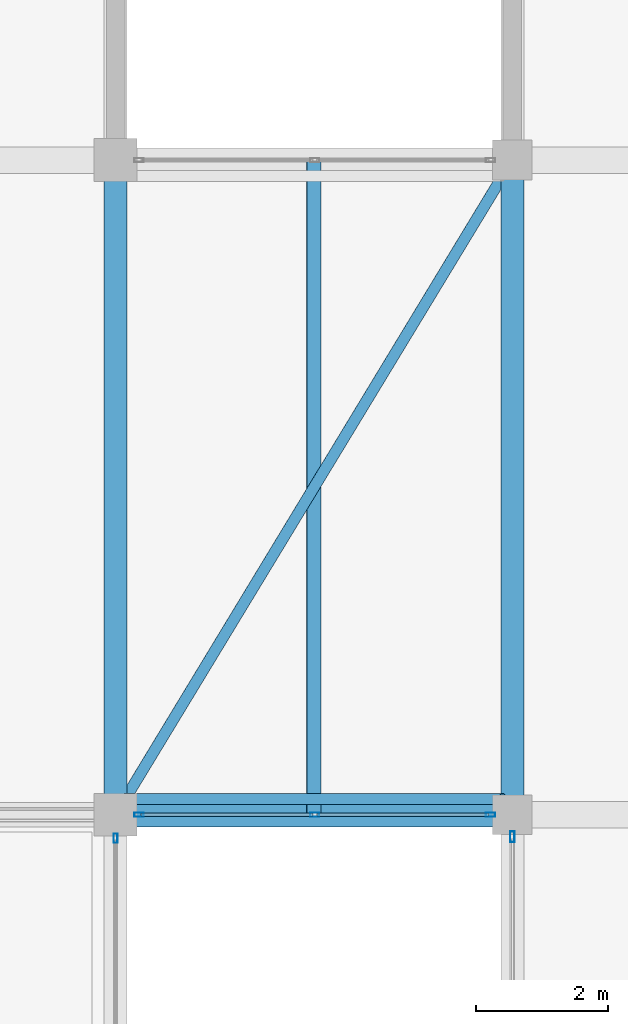
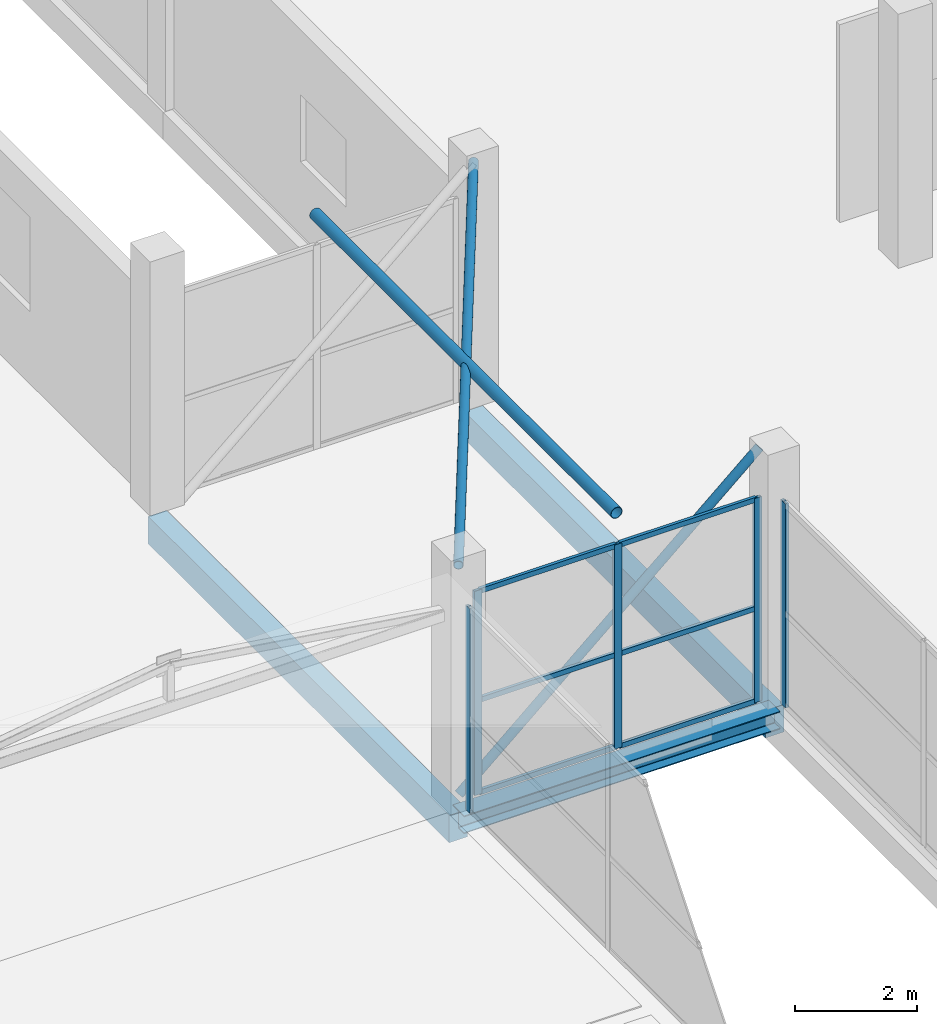
# One storey, part 31 of 58: 14 members, 3 beams, 3 elements without a shape of their own.
"""IFC4 building model written with IfcOpenShell, lengths in metres."""

from ifc_helpers import new_model, si_unit, direction, frame, origin, origin_2d, place, context, subcontext, project, spatial, rectangle, hollow_rectangle, hollow_circle, i_section, extrude, material, layer, layer_set, material_profile, profile_set, type_object, element, aggregate, save


model = new_model("IFC4")

# Units and contexts
model_context = context("Model", 3, precision=1e-05, world=origin(), true_north=direction((0.0, 1.0)))
body_context = subcontext(model_context, "Body", "Model", "MODEL_VIEW")
ifc_project = project(units=[si_unit("LENGTHUNIT", "METRE"), si_unit("AREAUNIT", "SQUARE_METRE"), si_unit("VOLUMEUNIT", "CUBIC_METRE"), si_unit("PLANEANGLEUNIT", "RADIAN"), si_unit("MASSUNIT", "GRAM", prefix="KILO")], contexts=[model_context])

# Site, building, storey
site_placement = place(None, origin())
site = spatial("IfcSite", under=ifc_project, at=site_placement, CompositionType="ELEMENT")
building_placement = place(site_placement, origin())
building = spatial("IfcBuilding", under=site, at=building_placement, Name="Sillaruma Civic Art Gallery", CompositionType="ELEMENT")
storey_placement = place(building_placement, frame((0.0, 0.0, 52.02001953125)))
storey = spatial("IfcBuildingStorey", under=building, at=storey_placement, Name="L10", CompositionType="ELEMENT", Elevation=52.02001953125)

# Beams
ifc_material_1 = material(Name="Structural Steel ASTM A992 Gr.50", Category="steel")
ifc_material_profile_1 = material_profile(ifc_material_1, i_section(OverallWidth=0.368896484375, OverallDepth=0.35595703125, WebThickness=0.01123046875, FlangeThickness=0.01806640625, FilletRadius=0.014892578125, at=origin_2d()), Name="W360x134")
ifc_profile_set_1 = profile_set([ifc_material_profile_1], Name="Structural Steel ASTM A992 Gr.50")
beam_type_1 = type_object("IfcBeamType", Name="BM-BRIDGE-W360x134", PredefinedType="SPANDREL", material=ifc_profile_set_1)
beam_placement = place(storey_placement, frame((92.0, 69.300048828125, -0.387939453125), z_axis=(1.0, 0.0, 0.0), x_axis=(0.0, 1.0, 0.0)))
element("IfcBeam", 1, at=beam_placement, inside=storey, type_object=beam_type_1, Name="Sky-Bridge Steel Edge Girder (BRG-N:L10:S)", PredefinedType="SPANDREL", context=body_context, shape_type="SweptSolid", body=[
    extrude(i_section(OverallWidth=0.368896484375, OverallDepth=0.35595703125, WebThickness=0.01123046875, FlangeThickness=0.01806640625, FilletRadius=0.014892578125, at=origin_2d()), origin(), (0.0, 0.0, 1.0), 6.0),
])
ifc_material_2 = material(Name="Concrete H35 (35 MPa)", Category="concrete")
ifc_material_profile_2 = material_profile(ifc_material_2, rectangle(XDim=0.35009765625, YDim=0.550048828125, at=origin_2d()), Name="RCB350x550")
ifc_profile_set_2 = profile_set([ifc_material_profile_2], Name="Concrete H35 (35 MPa)")
beam_type_2 = type_object("IfcBeamType", Name="BM-SPANDREL-RCB350x550", PredefinedType="SPANDREL", material=ifc_profile_set_2)
for number, where, z_axis, x_axis, name in (
    (2, (92.0, 69.300048828125, -0.52490234375), (0.0, 1.0, 0.0), (-1.0, 0.0, 0.0), "Beam BS-04 (L09:K:8-9)"),
    (3, (98.0, 69.300048828125, -0.52490234375), (0.0, 1.0, 0.0), (-1.0, 0.0, 0.0), "Beam BS-04 (L09:L:8-9)"),
):
    element("IfcBeam", number, at=place(storey_placement, frame(where, z_axis=z_axis, x_axis=x_axis)), inside=storey, type_object=beam_type_2, Name=name, PredefinedType="SPANDREL", context=body_context, shape_type="SweptSolid", body=[
        extrude(rectangle(XDim=0.35009765625, YDim=0.550048828125, at=origin_2d()), origin(), (0.0, 0.0, 1.0), 9.89990234375),
    ])

# Members
ifc_material_3 = material(Name="Structural Steel ASTM A500 Gr.C", Category="steel")
ifc_material_profile_3 = material_profile(ifc_material_3, hollow_circle(Radius=0.084228515625, WallThickness=0.007080078125, at=origin_2d()), Name="CHS168.3x7.1")
ifc_profile_set_3 = profile_set([ifc_material_profile_3], Name="Structural Steel ASTM A500 Gr.C")
member_type_1 = type_object("IfcMemberType", Name="MEM-BRIDGE-BRACE", PredefinedType="BRACE", material=ifc_profile_set_3)
member_1_placement = place(storey_placement, frame((92.14990234375, 69.5400390625, -0.080078125), z_axis=(0.753735417324, 0.0, 0.657177997707), x_axis=(0.0, 1.0, 0.0)))
element("IfcMember", 4, at=member_1_placement, inside=storey, type_object=member_type_1, Name="Sky-Bridge Elevation Truss Web Brace (BRG-N:L10:S)", PredefinedType="BRACE", context=body_context, shape_type="SweptSolid", body=[
    extrude(hollow_circle(Radius=0.084228515625, WallThickness=0.007080078125, at=origin_2d()), origin(), (0.0, 0.0, 1.0), 7.5625),
])
member_2_placement = place(storey_placement, frame((92.0, 69.300048828125, 4.7119140625), z_axis=(0.518305455332, 0.855195565337, 0.0), x_axis=(-0.855195565337, 0.518305455332, 0.0)))
element("IfcMember", 5, at=member_2_placement, inside=storey, type_object=member_type_1, Name="Sky-Bridge Diagonal Plan Brace (BRG-N:L11)", PredefinedType="BRACE", context=body_context, shape_type="SweptSolid", body=[
    extrude(hollow_circle(Radius=0.084228515625, WallThickness=0.007080078125, at=origin_2d()), origin(), (0.0, 0.0, 1.0), 11.576171875),
])
ifc_material_profile_4 = material_profile(ifc_material_3, hollow_circle(Radius=0.109619140625, WallThickness=0.00830078125, at=origin_2d()), Name="CHS219.1x8.2")
ifc_profile_set_4 = profile_set([ifc_material_profile_4], Name="Structural Steel ASTM A500 Gr.C")
member_type_2 = type_object("IfcMemberType", Name="MEM-BRIDGE-STRUT", PredefinedType="STRUT", material=ifc_profile_set_4)
member_3_placement = place(storey_placement, frame((95.0, 69.300048828125, 4.7119140625), z_axis=(0.0, 1.0, 0.0), x_axis=(-1.0, 0.0, 0.0)))
element("IfcMember", 6, at=member_3_placement, inside=storey, type_object=member_type_2, Name="Sky-Bridge Transverse Strut (BRG-N:L11)", PredefinedType="STRUT", context=body_context, shape_type="SweptSolid", body=[
    extrude(hollow_circle(Radius=0.109619140625, WallThickness=0.00830078125, at=origin_2d()), origin(), (0.0, 0.0, 1.0), 9.89990234375),
])

# Curtain wall, member
ifc_material_4 = material(Name="Thermally Broken Extruded Aluminium 6063-T6", Category="aluminium")
ifc_layer_1 = layer(ifc_material_4, 0.139892578125, Name="Thermally Broken Extruded Aluminium 6063-T6")
ifc_layer_set_1 = layer_set([ifc_layer_1], Name="Thermally Broken Extruded Aluminium 6063-T6")
curtain_wall_type_1 = type_object("IfcCurtainWallType", Name="CW-UNI-71", PredefinedType="NOTDEFINED", material=ifc_layer_set_1)
curtain_wall_1_placement = place(storey_placement, origin())
curtain_wall_1 = element("IfcCurtainWall", 7, at=curtain_wall_1_placement, inside=storey, type_object=curtain_wall_type_1, Name="Unitised Curtain Wall CW-71 (CW-L10-WBE-5)", PredefinedType="NOTDEFINED")
ifc_material_profile_5 = material_profile(ifc_material_4, hollow_rectangle(XDim=0.06005859375, YDim=0.139892578125, WallThickness=0.00341796875, at=origin_2d()), Name="CWM60x140")
ifc_profile_set_5 = profile_set([ifc_material_profile_5], Name="Thermally Broken Extruded Aluminium 6063-T6")
member_type_3 = type_object("IfcMemberType", Name="MEM-MUL-CWM60x140", PredefinedType="MULLION", material=ifc_profile_set_5)
member_4_placement = place(storey_placement, frame((92.0, 68.945068359375, 0.0), z_axis=(0.0, 0.0, 1.0), x_axis=(-1.0, 0.0, 0.0)))
member_4 = element("IfcMember", 8, at=member_4_placement, type_object=member_type_3, Name="CW-71 mullion 3", PredefinedType="MULLION", context=body_context, shape_type="SweptSolid", body=[
    extrude(hollow_rectangle(XDim=0.06005859375, YDim=0.139892578125, WallThickness=0.00341796875, at=origin_2d()), origin(), (0.0, 0.0, 1.0), 4.10009765625),
])
aggregate(curtain_wall_1, [member_4])

# Curtain wall, members
ifc_layer_2 = layer(ifc_material_4, 0.139892578125, Name="Thermally Broken Extruded Aluminium 6063-T6")
ifc_layer_set_2 = layer_set([ifc_layer_2], Name="Thermally Broken Extruded Aluminium 6063-T6")
curtain_wall_type_2 = type_object("IfcCurtainWallType", Name="CW-UNI-85", PredefinedType="NOTDEFINED", material=ifc_layer_set_2)
curtain_wall_2_placement = place(storey_placement, origin())
curtain_wall_2 = element("IfcCurtainWall", 9, at=curtain_wall_2_placement, inside=storey, type_object=curtain_wall_type_2, Name="Unitised Curtain Wall CW-85 (CW-BRG-N-L10-S)", PredefinedType="NOTDEFINED")
member_5_placement = place(storey_placement, frame((92.35498046875, 69.300048828125, 0.0), z_axis=(0.0, 0.0, 1.0), x_axis=(0.0, 1.0, 0.0)))
member_5 = element("IfcMember", 10, at=member_5_placement, type_object=member_type_3, Name="CW-85 mullion 1", PredefinedType="MULLION", context=body_context, shape_type="SweptSolid", body=[
    extrude(hollow_rectangle(XDim=0.06005859375, YDim=0.139892578125, WallThickness=0.00341796875, at=origin_2d()), origin(), (0.0, 0.0, 1.0), 4.10009765625),
])
member_6_placement = place(storey_placement, frame((95.012451171875, 69.300048828125, 0.0), z_axis=(0.0, 0.0, 1.0), x_axis=(0.0, 1.0, 0.0)))
member_6 = element("IfcMember", 11, at=member_6_placement, type_object=member_type_3, Name="CW-85 mullion 2", PredefinedType="MULLION", context=body_context, shape_type="SweptSolid", body=[
    extrude(hollow_rectangle(XDim=0.06005859375, YDim=0.139892578125, WallThickness=0.00341796875, at=origin_2d()), origin(), (0.0, 0.0, 1.0), 4.10009765625),
])
member_7_placement = place(storey_placement, frame((97.669921875, 69.300048828125, 0.0), z_axis=(0.0, 0.0, 1.0), x_axis=(0.0, 1.0, 0.0)))
member_7 = element("IfcMember", 12, at=member_7_placement, type_object=member_type_3, Name="CW-85 mullion 3", PredefinedType="MULLION", context=body_context, shape_type="SweptSolid", body=[
    extrude(hollow_rectangle(XDim=0.06005859375, YDim=0.139892578125, WallThickness=0.00341796875, at=origin_2d()), origin(), (0.0, 0.0, 1.0), 4.10009765625),
])

# Curtain wall, member
ifc_layer_3 = layer(ifc_material_4, 0.159912109375, Name="Thermally Broken Extruded Aluminium 6063-T6")
ifc_layer_set_3 = layer_set([ifc_layer_3], Name="Thermally Broken Extruded Aluminium 6063-T6")
curtain_wall_type_3 = type_object("IfcCurtainWallType", Name="CW-UNI-80", PredefinedType="NOTDEFINED", material=ifc_layer_set_3)
curtain_wall_3_placement = place(storey_placement, origin())
curtain_wall_3 = element("IfcCurtainWall", 13, at=curtain_wall_3_placement, inside=storey, type_object=curtain_wall_type_3, Name="Unitised Curtain Wall CW-80 (CW-L10-EBW-5)", PredefinedType="NOTDEFINED")
ifc_material_profile_6 = material_profile(ifc_material_4, hollow_rectangle(XDim=0.06494140625, YDim=0.159912109375, WallThickness=0.00390625, at=origin_2d()), Name="CWM65x160")
ifc_profile_set_6 = profile_set([ifc_material_profile_6], Name="Thermally Broken Extruded Aluminium 6063-T6")
member_type_4 = type_object("IfcMemberType", Name="MEM-MUL-CWM65x160", PredefinedType="MULLION", material=ifc_profile_set_6)
member_8_placement = place(storey_placement, frame((98.0, 68.967529296875, 0.0), z_axis=(0.0, 0.0, 1.0), x_axis=(-1.0, 0.0, 0.0)))
member_8 = element("IfcMember", 14, at=member_8_placement, type_object=member_type_4, Name="CW-80 mullion 3", PredefinedType="MULLION", context=body_context, shape_type="SweptSolid", body=[
    extrude(hollow_rectangle(XDim=0.06494140625, YDim=0.159912109375, WallThickness=0.00390625, at=origin_2d()), origin(), (0.0, 0.0, 1.0), 4.10009765625),
])
aggregate(curtain_wall_3, [member_8])

# Member
ifc_material_profile_7 = material_profile(ifc_material_4, hollow_rectangle(XDim=0.06005859375, YDim=0.10009765625, WallThickness=0.003173828125, at=origin_2d()), Name="CWT60x100")
ifc_profile_set_7 = profile_set([ifc_material_profile_7], Name="Thermally Broken Extruded Aluminium 6063-T6")
member_type_5 = type_object("IfcMemberType", Name="MEM-TRN-CWT60x100", PredefinedType="USERDEFINED", material=ifc_profile_set_7)
member_9_placement = place(storey_placement, frame((92.385009765625, 69.300048828125, 0.030029296875), z_axis=(1.0, 0.0, 0.0), x_axis=(0.0, 1.0, 0.0)))
member_9 = element("IfcMember", 15, at=member_9_placement, type_object=member_type_5, Name="CW-85 transom 1.1", ObjectType="TRANSOM", PredefinedType="USERDEFINED", context=body_context, shape_type="SweptSolid", body=[
    extrude(hollow_rectangle(XDim=0.06005859375, YDim=0.10009765625, WallThickness=0.003173828125, at=origin_2d()), origin(), (0.0, 0.0, 1.0), 2.597412109375),
])

member_10_placement = place(storey_placement, frame((92.385009765625, 69.300048828125, 1.885986328125), z_axis=(1.0, 0.0, 0.0), x_axis=(0.0, 1.0, 0.0)))
member_10 = element("IfcMember", 16, at=member_10_placement, type_object=member_type_5, Name="CW-85 transom 1.2", ObjectType="TRANSOM", PredefinedType="USERDEFINED", context=body_context, shape_type="SweptSolid", body=[
    extrude(hollow_rectangle(XDim=0.06005859375, YDim=0.10009765625, WallThickness=0.003173828125, at=origin_2d()), origin(), (0.0, 0.0, 1.0), 2.597412109375),
])

member_11_placement = place(storey_placement, frame((92.385009765625, 69.300048828125, 4.070068359375), z_axis=(1.0, 0.0, 0.0), x_axis=(0.0, 1.0, 0.0)))
member_11 = element("IfcMember", 17, at=member_11_placement, type_object=member_type_5, Name="CW-85 transom 1.3", ObjectType="TRANSOM", PredefinedType="USERDEFINED", context=body_context, shape_type="SweptSolid", body=[
    extrude(hollow_rectangle(XDim=0.06005859375, YDim=0.10009765625, WallThickness=0.003173828125, at=origin_2d()), origin(), (0.0, 0.0, 1.0), 2.597412109375),
])

member_12_placement = place(storey_placement, frame((95.04248046875, 69.300048828125, 0.030029296875), z_axis=(1.0, 0.0, 0.0), x_axis=(0.0, 1.0, 0.0)))
member_12 = element("IfcMember", 18, at=member_12_placement, type_object=member_type_5, Name="CW-85 transom 2.1", ObjectType="TRANSOM", PredefinedType="USERDEFINED", context=body_context, shape_type="SweptSolid", body=[
    extrude(hollow_rectangle(XDim=0.06005859375, YDim=0.10009765625, WallThickness=0.003173828125, at=origin_2d()), origin(), (0.0, 0.0, 1.0), 2.597412109375),
])

member_13_placement = place(storey_placement, frame((95.04248046875, 69.300048828125, 1.885986328125), z_axis=(1.0, 0.0, 0.0), x_axis=(0.0, 1.0, 0.0)))
member_13 = element("IfcMember", 19, at=member_13_placement, type_object=member_type_5, Name="CW-85 transom 2.2", ObjectType="TRANSOM", PredefinedType="USERDEFINED", context=body_context, shape_type="SweptSolid", body=[
    extrude(hollow_rectangle(XDim=0.06005859375, YDim=0.10009765625, WallThickness=0.003173828125, at=origin_2d()), origin(), (0.0, 0.0, 1.0), 2.597412109375),
])

member_14_placement = place(storey_placement, frame((95.04248046875, 69.300048828125, 4.070068359375), z_axis=(1.0, 0.0, 0.0), x_axis=(0.0, 1.0, 0.0)))
member_14 = element("IfcMember", 20, at=member_14_placement, type_object=member_type_5, Name="CW-85 transom 2.3", ObjectType="TRANSOM", PredefinedType="USERDEFINED", context=body_context, shape_type="SweptSolid", body=[
    extrude(hollow_rectangle(XDim=0.06005859375, YDim=0.10009765625, WallThickness=0.003173828125, at=origin_2d()), origin(), (0.0, 0.0, 1.0), 2.597412109375),
])

aggregate(curtain_wall_2, [member_5, member_6, member_7, member_9, member_10, member_11, member_12, member_13, member_14])

save(model, "model.ifc")
